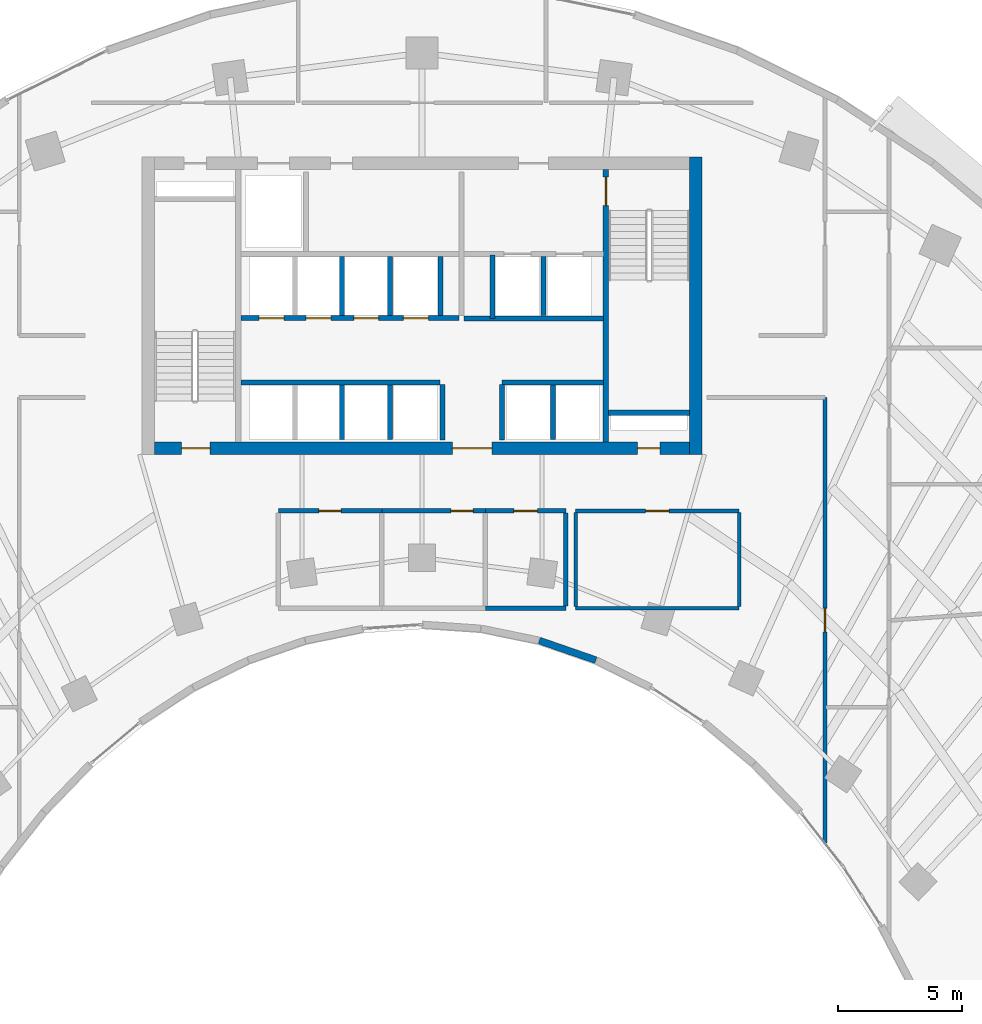
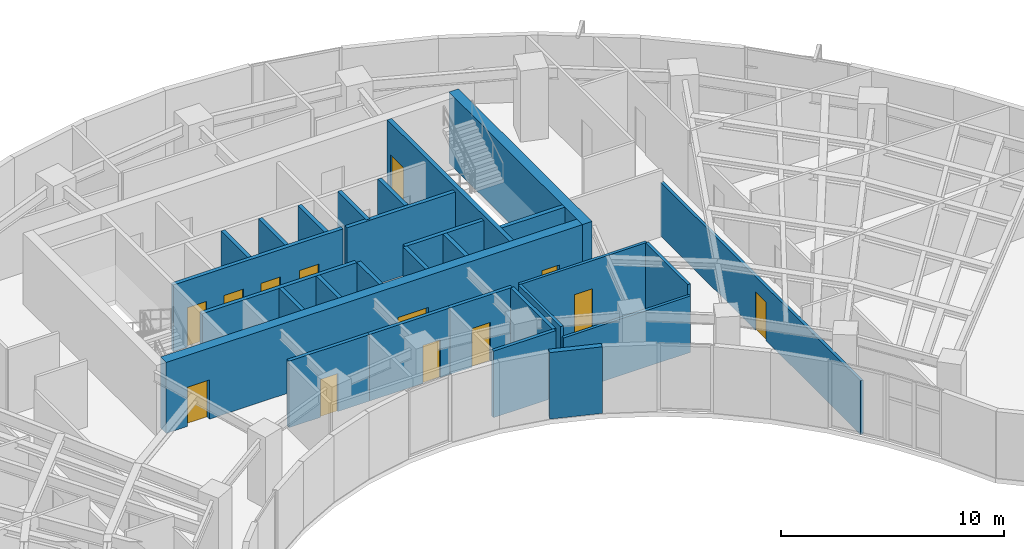
# One storey, part 9 of 13: 29 walls, 13 doors, 13 openings.
"""IFC4 building model written with IfcOpenShell, lengths in metres."""

from ifc_helpers import new_model, si_unit, direction, frame, frame_2d, origin, place, context, subcontext, project, spatial, rectangle, extrude, source, transform, mapped, material, layer, layer_set, type_object, type_shapes, element, fill, save


model = new_model("IFC4")

# Units and contexts
model_context = context("Model", 3, precision=1e-05, world=origin(), true_north=direction((0.0, 1.0)))
body_context = subcontext(model_context, "Body", "Model", "MODEL_VIEW")
ifc_project = project(units=[si_unit("LENGTHUNIT", "METRE"), si_unit("AREAUNIT", "SQUARE_METRE"), si_unit("VOLUMEUNIT", "CUBIC_METRE"), si_unit("PLANEANGLEUNIT", "RADIAN"), si_unit("MASSUNIT", "GRAM", prefix="KILO")], contexts=[model_context])

# Site, building, storey
site_placement = place(None, origin())
site = spatial("IfcSite", under=ifc_project, at=site_placement, CompositionType="ELEMENT")
building_placement = place(site_placement, origin())
building = spatial("IfcBuilding", under=site, at=building_placement, Name="Breltana Convention Tower", CompositionType="ELEMENT")
storey_placement = place(building_placement, frame((0.0, 0.0, 96.0)))
storey = spatial("IfcBuildingStorey", under=building, at=storey_placement, Name="L22", CompositionType="ELEMENT", Elevation=96.0)

# Wall
ifc_material_1 = material(Name="Concrete C60/75", Category="concrete")
ifc_layer_1 = layer(ifc_material_1, 0.5, Name="Concrete C60/75")
ifc_layer_set_1 = layer_set([ifc_layer_1], Name="Concrete C60/75")
wall_type_1 = type_object("IfcWallType", Name="SW-CORE-500", PredefinedType="SHEAR", material=ifc_layer_set_1)
shared_shape_1 = source(origin(), body_context, "Body", "SweptSolid", [
    extrude(rectangle(XDim=12.0, YDim=0.5, at=frame_2d((6.0, 0.0))), origin(), (0.0, 0.0, 1.0), 3.89990234375),
])
wall_1_placement = place(storey_placement, frame((59.050048828125, 60.199951171875, 0.0), z_axis=(0.0, 0.0, 1.0), x_axis=(0.0, 1.0, 0.0)))
element("IfcWall", 1, at=wall_1_placement, inside=storey, type_object=wall_type_1, Name="L22 East Core Shear Wall", PredefinedType="SHEAR", context=body_context, shape_type="MappedRepresentation", body=[
    mapped(shared_shape_1, transform((0.0, 0.0, 0.0), scale=1.0)),
])

# Wall, openings, doors
shared_shape_2 = source(origin(), body_context, "Body", "SweptSolid", [
    extrude(rectangle(XDim=21.60009765625, YDim=0.5, at=frame_2d((10.800048828125, 0.0))), origin(), (0.0, 0.0, 1.0), 3.89990234375),
])
wall_2_placement = place(storey_placement, frame((37.199951171875, 60.449951171875, 0.0), z_axis=(0.0, 0.0, 1.0), x_axis=(1.0, 0.0, 0.0)))
wall_2 = element("IfcWall", 2, at=wall_2_placement, inside=storey, type_object=wall_type_1, Name="L22 South Core Shear Wall", PredefinedType="SHEAR", context=body_context, shape_type="MappedRepresentation", body=[
    mapped(shared_shape_2, transform((0.0, 0.0, 0.0), scale=1.0)),
])
opening_1_placement = place(wall_2_placement, frame((1.10009765625, 0.0, 0.0)))
opening_1 = element("IfcOpeningElement", 3, at=opening_1_placement, cuts=wall_2, Name="Opening D-11", PredefinedType="OPENING", context=body_context, shape_type="SweptSolid", body=[
    extrude(rectangle(XDim=1.14990234375, YDim=2.14990234375, at=frame_2d((0.574951171875, 1.074951171875))), frame((0.0, 0.260009765625, 0.0), z_axis=(0.0, -1.0, 0.0), x_axis=(1.0, 0.0, 0.0)), (0.0, 0.0, 1.0), 0.52001953125),
])
opening_2_placement = place(wall_2_placement, frame((19.5, 0.0, 0.0)))
opening_2 = element("IfcOpeningElement", 4, at=opening_2_placement, cuts=wall_2, Name="Opening D-18", PredefinedType="OPENING", context=body_context, shape_type="SweptSolid", body=[
    extrude(rectangle(XDim=0.89990234375, YDim=2.10009765625, at=frame_2d((0.449951171875, 1.050048828125))), frame((0.0, 0.260009765625, 0.0), z_axis=(0.0, -1.0, 0.0), x_axis=(1.0, 0.0, 0.0)), (0.0, 0.0, 1.0), 0.52001953125),
])
opening_3_placement = place(wall_2_placement, frame((12.02001953125, 0.0, 0.0)))
opening_3 = element("IfcOpeningElement", 5, at=opening_3_placement, cuts=wall_2, Name="Opening D-02", PredefinedType="OPENING", context=body_context, shape_type="SweptSolid", body=[
    extrude(rectangle(XDim=1.60009765625, YDim=2.14990234375, at=frame_2d((0.800048828125, 1.074951171875))), frame((0.0, 0.260009765625, 0.0), z_axis=(0.0, -1.0, 0.0), x_axis=(1.0, 0.0, 0.0)), (0.0, 0.0, 1.0), 0.52001953125),
])
ifc_material_2 = material(Name="Steel Stair Exit Door", Category="steel")
door_type_1 = type_object("IfcDoorType", Name="DR-FD120-1150", OperationType="NOTDEFINED", PredefinedType="DOOR", material=ifc_material_2)
shared_shape_3 = source(origin(), body_context, "Body", "SweptSolid", [
    extrude(rectangle(XDim=1.14990234375, YDim=2.14990234375, at=frame_2d((0.574951171875, 1.074951171875))), frame((0.0, 0.02490234375, 0.0), z_axis=(0.0, -1.0, 0.0), x_axis=(1.0, 0.0, 0.0)), (0.0, 0.0, 1.0), 0.050048828125),
])
type_shapes(door_type_1, [shared_shape_3])
door_1_placement = place(opening_1_placement, origin())
door_1 = element("IfcDoor", 6, at=door_1_placement, inside=storey, type_object=door_type_1, Name="L22 interior door D-L22-ST1", OperationType="SINGLE_SWING_LEFT", OverallHeight=2.14990234375, OverallWidth=1.14990234375, PredefinedType="DOOR", context=body_context, shape_type="MappedRepresentation", body=[
    mapped(shared_shape_3, transform((0.0, 0.0, 0.0), scale=1.0)),
])
fill(opening_1, door_1)
ifc_material_3 = material(Name="Steel Riser Fire Door", Category="steel")
door_type_2 = type_object("IfcDoorType", Name="DR-FD60-900", OperationType="NOTDEFINED", PredefinedType="DOOR", material=ifc_material_3)
shared_shape_4 = source(origin(), body_context, "Body", "SweptSolid", [
    extrude(rectangle(XDim=0.89990234375, YDim=2.10009765625, at=frame_2d((0.449951171875, 1.050048828125))), frame((0.0, 0.02490234375, 0.0), z_axis=(0.0, -1.0, 0.0), x_axis=(1.0, 0.0, 0.0)), (0.0, 0.0, 1.0), 0.050048828125),
])
type_shapes(door_type_2, [shared_shape_4])
door_2_placement = place(opening_2_placement, origin())
door_2 = element("IfcDoor", 7, at=door_2_placement, inside=storey, type_object=door_type_2, Name="L22 Core Riser Access Door D-L22-RS2", OperationType="SINGLE_SWING_RIGHT", OverallHeight=2.10009765625, OverallWidth=0.89990234375, PredefinedType="DOOR", context=body_context, shape_type="MappedRepresentation", body=[
    mapped(shared_shape_4, transform((0.0, 0.0, 0.0), scale=1.0)),
])
fill(opening_2, door_2)
ifc_material_4 = material(Name="Steel Glazed Smoke-Control Door", Category="steel")
door_type_3 = type_object("IfcDoorType", Name="DR-DBL-FD90-1600", OperationType="DOUBLE_DOOR_SINGLE_SWING", PredefinedType="DOOR", material=ifc_material_4)
shared_shape_5 = source(origin(), body_context, "Body", "SweptSolid", [
    extrude(rectangle(XDim=1.60009765625, YDim=2.14990234375, at=frame_2d((0.800048828125, 1.074951171875))), frame((0.0, 0.02490234375, 0.0), z_axis=(0.0, -1.0, 0.0), x_axis=(1.0, 0.0, 0.0)), (0.0, 0.0, 1.0), 0.050048828125),
])
type_shapes(door_type_3, [shared_shape_5])
door_3_placement = place(opening_3_placement, origin())
door_3 = element("IfcDoor", 8, at=door_3_placement, inside=storey, type_object=door_type_3, Name="L22 interior door D-L22-LLB-S", OperationType="DOUBLE_DOOR_SINGLE_SWING", OverallHeight=2.14990234375, OverallWidth=1.60009765625, PredefinedType="DOOR", context=body_context, shape_type="MappedRepresentation", body=[
    mapped(shared_shape_5, transform((0.0, 0.0, 0.0), scale=1.0)),
])
fill(opening_3, door_3)

# Wall
ifc_material_5 = material(Name="Concrete C50/60", Category="concrete")
ifc_layer_2 = layer(ifc_material_5, 0.39990234375, Name="Concrete C50/60")
ifc_layer_set_2 = layer_set([ifc_layer_2], Name="Concrete C50/60")
wall_type_2 = type_object("IfcWallType", Name="SW-CORE-400", PredefinedType="SHEAR", material=ifc_layer_set_2)
shared_shape_6 = source(origin(), body_context, "Body", "SweptSolid", [
    extrude(rectangle(XDim=3.27001953125, YDim=0.219970703125, at=frame_2d((1.635009765625, 0.0))), origin(), (0.0, 0.0, 1.0), 3.89990234375),
])
wall_3_placement = place(storey_placement, frame((55.530029296875, 61.889892578125, 0.0), z_axis=(0.0, 0.0, 1.0), x_axis=(1.0, 0.0, 0.0)))
element("IfcWall", 9, at=wall_3_placement, inside=storey, type_object=wall_type_2, Name="L22 ST-2 Stairwell South Bearing Wall", PredefinedType="SHEAR", context=body_context, shape_type="MappedRepresentation", body=[
    mapped(shared_shape_6, transform((0.0, 0.0, 0.0), scale=1.0)),
])

# Wall, opening, door
shared_shape_7 = source(origin(), body_context, "Body", "SweptSolid", [
    extrude(rectangle(XDim=11.0, YDim=0.219970703125, at=frame_2d((5.5, 0.0))), origin(), (0.0, 0.0, 1.0), 3.89990234375),
])
wall_4_placement = place(storey_placement, frame((55.419921875, 60.699951171875, 0.0), z_axis=(0.0, 0.0, 1.0), x_axis=(0.0, 1.0, 0.0)))
wall_4 = element("IfcWall", 10, at=wall_4_placement, inside=storey, type_object=wall_type_2, Name="L22 Core East Stair Spine Wall", PredefinedType="SHEAR", context=body_context, shape_type="MappedRepresentation", body=[
    mapped(shared_shape_7, transform((0.0, 0.0, 0.0), scale=1.0)),
])
opening_4_placement = place(wall_4_placement, frame((9.544921875, 0.0, 0.0)))
opening_4 = element("IfcOpeningElement", 11, at=opening_4_placement, cuts=wall_4, Name="Opening D-11", PredefinedType="OPENING", context=body_context, shape_type="SweptSolid", body=[
    extrude(rectangle(XDim=1.14990234375, YDim=2.14990234375, at=frame_2d((0.574951171875, 1.074951171875))), frame((0.0, 0.1201171875, 0.0), z_axis=(0.0, -1.0, 0.0), x_axis=(1.0, 0.0, 0.0)), (0.0, 0.0, 1.0), 0.239990234375),
])
door_4_placement = place(opening_4_placement, origin())
door_4 = element("IfcDoor", 12, at=door_4_placement, inside=storey, type_object=door_type_1, Name="L22 interior door D-L22-ST2", OperationType="SINGLE_SWING_LEFT", OverallHeight=2.14990234375, OverallWidth=1.14990234375, PredefinedType="DOOR", context=body_context, shape_type="MappedRepresentation", body=[
    mapped(shared_shape_3, transform((0.0, 0.0, 0.0), scale=1.0)),
])
fill(opening_4, door_4)

# Walls
ifc_material_6 = material(Name="Limestone Buff Insulated Wall", Category="masonry")
ifc_layer_3 = layer(ifc_material_6, 0.280029296875, Name="Limestone Buff Insulated Wall")
ifc_layer_set_3 = layer_set([ifc_layer_3], Name="Limestone Buff Insulated Wall")
wall_type_3 = type_object("IfcWallType", Name="WL-EXT-NOSE-280", PredefinedType="SOLIDWALL", material=ifc_layer_set_3)
shared_shape_8 = source(origin(), body_context, "Body", "SweptSolid", [
    extrude(rectangle(XDim=2.41064453125, YDim=0.280029296875, at=frame_2d((1.205322265625, 0.0))), origin(), (0.0, 0.0, 1.0), 3.64990234375),
])
wall_5_placement = place(storey_placement, frame((55.01171875, 51.8994140625, 0.0), z_axis=(0.0, 0.0, 1.0), x_axis=(-0.944880068161, 0.327416640982, 0.0)))
element("IfcWall", 13, at=wall_5_placement, inside=storey, type_object=wall_type_3, Name="L22 curved limestone nose wall E10", PredefinedType="SOLIDWALL", context=body_context, shape_type="MappedRepresentation", body=[
    mapped(shared_shape_8, transform((0.0, 0.0, 0.0), scale=1.0)),
])
ifc_material_7 = material(Name="Autoclaved Aerated Concrete Block", Category="concrete")
ifc_layer_4 = layer(ifc_material_7, 0.199951171875, Name="Autoclaved Aerated Concrete Block")
ifc_layer_set_4 = layer_set([ifc_layer_4], Name="Autoclaved Aerated Concrete Block")
wall_type_4 = type_object("IfcWallType", Name="WL-SHAFT-200", PredefinedType="SOLIDWALL", material=ifc_layer_set_4)
shared_shape_9 = source(origin(), body_context, "Body", "SweptSolid", [
    extrude(rectangle(XDim=2.239990234375, YDim=0.199951171875, at=frame_2d((1.1201171875, 0.0))), origin(), (0.0, 0.0, 1.0), 3.64990234375),
])
for number, where, z_axis, x_axis, name in (
    (14, (48.820068359375, 60.780029296875, 0.0), (0.0, 0.0, 1.0), (0.0, 1.0, 0.0), "L22 interior partition W-L22-PORT-W"),
    (15, (51.219970703125, 60.780029296875, 0.0), (0.0, 0.0, 1.0), (0.0, 1.0, 0.0), "L22 interior partition W-L22-PORT-E"),
):
    element("IfcWall", number, at=place(storey_placement, frame(where, z_axis=z_axis, x_axis=x_axis)), inside=storey, type_object=wall_type_4, Name=name, PredefinedType="SOLIDWALL", context=body_context, shape_type="MappedRepresentation", body=[
        mapped(shared_shape_9, transform((0.0, 0.0, 0.0), scale=1.0)),
    ])
shared_shape_10 = source(origin(), body_context, "Body", "SweptSolid", [
    extrude(rectangle(XDim=5.6201171875, YDim=0.199951171875, at=frame_2d((2.81005859375, 0.0))), origin(), (0.0, 0.0, 1.0), 3.64990234375),
])
wall_6_placement = place(storey_placement, frame((49.699951171875, 65.679931640625, 0.0), z_axis=(0.0, 0.0, 1.0), x_axis=(1.0, 0.0, 0.0)))
element("IfcWall", 16, at=wall_6_placement, inside=storey, type_object=wall_type_4, Name="L22 interior partition W-L22-FL-S", PredefinedType="SOLIDWALL", context=body_context, shape_type="MappedRepresentation", body=[
    mapped(shared_shape_10, transform((0.0, 0.0, 0.0), scale=1.0)),
])
shared_shape_11 = source(origin(), body_context, "Body", "SweptSolid", [
    extrude(rectangle(XDim=2.580078125, YDim=0.199951171875, at=frame_2d((1.2900390625, 0.0))), origin(), (0.0, 0.0, 1.0), 3.64990234375),
])
wall_7_placement = place(storey_placement, frame((50.85009765625, 65.679931640625, 0.0), z_axis=(0.0, 0.0, 1.0), x_axis=(0.0, 1.0, 0.0)))
element("IfcWall", 17, at=wall_7_placement, inside=storey, type_object=wall_type_4, Name="L22 interior partition W-L22-FL-W", PredefinedType="SOLIDWALL", context=body_context, shape_type="MappedRepresentation", body=[
    mapped(shared_shape_11, transform((0.0, 0.0, 0.0), scale=1.0)),
])
shared_shape_12 = source(origin(), body_context, "Body", "SweptSolid", [
    extrude(rectangle(XDim=2.39990234375, YDim=0.199951171875, at=frame_2d((1.199951171875, 0.0))), origin(), (0.0, 0.0, 1.0), 3.64990234375),
])
for number, where, z_axis, x_axis, name in (
    (18, (52.89990234375, 65.800048828125, 0.0), (0.0, 0.0, 1.0), (0.0, 1.0, 0.0), "L22 interior partition W-L22-FL-DIV"),
    (19, (48.75, 65.800048828125, 0.0), (0.0, 0.0, 1.0), (0.0, 1.0, 0.0), "L22 interior partition W-L22-SH-M-END"),
    (20, (44.77001953125, 65.800048828125, 0.0), (0.0, 0.0, 1.0), (0.0, 1.0, 0.0), "L22 interior partition W-L22-SH-M-DIV2"),
    (21, (46.699951171875, 65.800048828125, 0.0), (0.0, 0.0, 1.0), (0.0, 1.0, 0.0), "L22 interior partition W-L22-SH-M-DIV3"),
):
    element("IfcWall", number, at=place(storey_placement, frame(where, z_axis=z_axis, x_axis=x_axis)), inside=storey, type_object=wall_type_4, Name=name, PredefinedType="SOLIDWALL", context=body_context, shape_type="MappedRepresentation", body=[
        mapped(shared_shape_12, transform((0.0, 0.0, 0.0), scale=1.0)),
    ])

# Wall, openings, doors
shared_shape_13 = source(origin(), body_context, "Body", "SweptSolid", [
    extrude(rectangle(XDim=8.800048828125, YDim=0.199951171875, at=frame_2d((4.39990234375, 0.0))), origin(), (0.0, 0.0, 1.0), 3.64990234375),
])
wall_8_placement = place(storey_placement, frame((40.699951171875, 65.699951171875, 0.0), z_axis=(0.0, 0.0, 1.0), x_axis=(1.0, 0.0, 0.0)))
wall_8 = element("IfcWall", 22, at=wall_8_placement, inside=storey, type_object=wall_type_4, Name="L22 interior partition W-L22-SH-M-FRONT", PredefinedType="SOLIDWALL", context=body_context, shape_type="MappedRepresentation", body=[
    mapped(shared_shape_13, transform((0.0, 0.0, 0.0), scale=1.0)),
])
opening_5_placement = place(wall_8_placement, frame((0.719970703125, 0.0, 0.0)))
opening_5 = element("IfcOpeningElement", 23, at=opening_5_placement, cuts=wall_8, Name="Opening LD-04", PredefinedType="OPENING", context=body_context, shape_type="SweptSolid", body=[
    extrude(rectangle(XDim=1.0, YDim=2.14990234375, at=frame_2d((0.5, 1.074951171875))), frame((0.0, 0.10986328125, 0.0), z_axis=(0.0, -1.0, 0.0), x_axis=(1.0, 0.0, 0.0)), (0.0, 0.0, 1.0), 0.219970703125),
])
opening_6_placement = place(wall_8_placement, frame((2.6201171875, 0.0, 0.0)))
opening_6 = element("IfcOpeningElement", 24, at=opening_6_placement, cuts=wall_8, Name="Opening LD-04", PredefinedType="OPENING", context=body_context, shape_type="SweptSolid", body=[
    extrude(rectangle(XDim=1.0, YDim=2.14990234375, at=frame_2d((0.5, 1.074951171875))), frame((0.0, 0.10986328125, 0.0), z_axis=(0.0, -1.0, 0.0), x_axis=(1.0, 0.0, 0.0)), (0.0, 0.0, 1.0), 0.219970703125),
])
opening_7_placement = place(wall_8_placement, frame((4.550048828125, 0.0, 0.0)))
opening_7 = element("IfcOpeningElement", 25, at=opening_7_placement, cuts=wall_8, Name="Opening LD-04", PredefinedType="OPENING", context=body_context, shape_type="SweptSolid", body=[
    extrude(rectangle(XDim=1.0, YDim=2.14990234375, at=frame_2d((0.5, 1.074951171875))), frame((0.0, 0.10986328125, 0.0), z_axis=(0.0, -1.0, 0.0), x_axis=(1.0, 0.0, 0.0)), (0.0, 0.0, 1.0), 0.219970703125),
])
opening_8_placement = place(wall_8_placement, frame((6.550048828125, 0.0, 0.0)))
opening_8 = element("IfcOpeningElement", 26, at=opening_8_placement, cuts=wall_8, Name="Opening LD-04", PredefinedType="OPENING", context=body_context, shape_type="SweptSolid", body=[
    extrude(rectangle(XDim=1.0, YDim=2.14990234375, at=frame_2d((0.5, 1.074951171875))), frame((0.0, 0.10986328125, 0.0), z_axis=(0.0, -1.0, 0.0), x_axis=(1.0, 0.0, 0.0)), (0.0, 0.0, 1.0), 0.219970703125),
])
ifc_material_8 = material(Name="Stainless Steel Brushed", Category="steel")
door_type_4 = type_object("IfcDoorType", Name="DR-LD-PAX-1000", OperationType="DOUBLE_DOOR_SLIDING", PredefinedType="DOOR", material=ifc_material_8)
shared_shape_14 = source(origin(), body_context, "Body", "SweptSolid", [
    extrude(rectangle(XDim=1.0, YDim=2.14990234375, at=frame_2d((0.5, 1.074951171875))), frame((0.0, 0.02490234375, 0.0), z_axis=(0.0, -1.0, 0.0), x_axis=(1.0, 0.0, 0.0)), (0.0, 0.0, 1.0), 0.050048828125),
])
type_shapes(door_type_4, [shared_shape_14])
door_5_placement = place(opening_5_placement, origin())
door_5 = element("IfcDoor", 27, at=door_5_placement, inside=storey, type_object=door_type_4, Name="L22 Lift Landing Door D-L22-LD-M1", OperationType="DOUBLE_DOOR_SLIDING", OverallHeight=2.14990234375, OverallWidth=1.0, PredefinedType="DOOR", context=body_context, shape_type="MappedRepresentation", body=[
    mapped(shared_shape_14, transform((0.0, 0.0, 0.0), scale=1.0)),
])
fill(opening_5, door_5)
door_6_placement = place(opening_6_placement, origin())
door_6 = element("IfcDoor", 28, at=door_6_placement, inside=storey, type_object=door_type_4, Name="L22 Lift Landing Door D-L22-LD-M2", OperationType="DOUBLE_DOOR_SLIDING", OverallHeight=2.14990234375, OverallWidth=1.0, PredefinedType="DOOR", context=body_context, shape_type="MappedRepresentation", body=[
    mapped(shared_shape_14, transform((0.0, 0.0, 0.0), scale=1.0)),
])
fill(opening_6, door_6)
door_7_placement = place(opening_7_placement, origin())
door_7 = element("IfcDoor", 29, at=door_7_placement, inside=storey, type_object=door_type_4, Name="L22 Lift Landing Door D-L22-LD-M3", OperationType="DOUBLE_DOOR_SLIDING", OverallHeight=2.14990234375, OverallWidth=1.0, PredefinedType="DOOR", context=body_context, shape_type="MappedRepresentation", body=[
    mapped(shared_shape_14, transform((0.0, 0.0, 0.0), scale=1.0)),
])
fill(opening_7, door_7)
door_8_placement = place(opening_8_placement, origin())
door_8 = element("IfcDoor", 30, at=door_8_placement, inside=storey, type_object=door_type_4, Name="L22 Lift Landing Door D-L22-LD-M4", OperationType="DOUBLE_DOOR_SLIDING", OverallHeight=2.14990234375, OverallWidth=1.0, PredefinedType="DOOR", context=body_context, shape_type="MappedRepresentation", body=[
    mapped(shared_shape_14, transform((0.0, 0.0, 0.0), scale=1.0)),
])
fill(opening_8, door_8)

# Walls
shared_shape_15 = source(origin(), body_context, "Body", "SweptSolid", [
    extrude(rectangle(XDim=8.02001953125, YDim=0.199951171875, at=frame_2d((4.010009765625, 0.0))), origin(), (0.0, 0.0, 1.0), 3.64990234375),
])
wall_9_placement = place(storey_placement, frame((40.699951171875, 63.10009765625, 0.0), z_axis=(0.0, 0.0, 1.0), x_axis=(1.0, 0.0, 0.0)))
element("IfcWall", 31, at=wall_9_placement, inside=storey, type_object=wall_type_4, Name="L22 interior partition W-L22-SH-S-FRONT", PredefinedType="SOLIDWALL", context=body_context, shape_type="MappedRepresentation", body=[
    mapped(shared_shape_15, transform((0.0, 0.0, 0.0), scale=1.0)),
])
shared_shape_16 = source(origin(), body_context, "Body", "SweptSolid", [
    extrude(rectangle(XDim=4.10009765625, YDim=0.199951171875, at=frame_2d((2.050048828125, 0.0))), origin(), (0.0, 0.0, 1.0), 3.64990234375),
])
wall_10_placement = place(storey_placement, frame((51.219970703125, 63.10009765625, 0.0), z_axis=(0.0, 0.0, 1.0), x_axis=(1.0, 0.0, 0.0)))
element("IfcWall", 32, at=wall_10_placement, inside=storey, type_object=wall_type_4, Name="L22 interior partition W-L22-SH-X-FRONT", PredefinedType="SOLIDWALL", context=body_context, shape_type="MappedRepresentation", body=[
    mapped(shared_shape_16, transform((0.0, 0.0, 0.0), scale=1.0)),
])
shared_shape_17 = source(origin(), body_context, "Body", "SweptSolid", [
    extrude(rectangle(XDim=2.199951171875, YDim=0.199951171875, at=frame_2d((1.10009765625, 0.0))), origin(), (0.0, 0.0, 1.0), 3.64990234375),
])
for number, where, z_axis, x_axis, name in (
    (33, (44.77001953125, 60.800048828125, 0.0), (0.0, 0.0, 1.0), (0.0, 1.0, 0.0), "L22 interior partition W-L22-SH-S-DIV2"),
    (34, (46.699951171875, 60.800048828125, 0.0), (0.0, 0.0, 1.0), (0.0, 1.0, 0.0), "L22 interior partition W-L22-SH-S-DIV3"),
    (35, (53.280029296875, 60.800048828125, 0.0), (0.0, 0.0, 1.0), (0.0, 1.0, 0.0), "L22 interior partition W-L22-SH-X-DIV"),
):
    element("IfcWall", number, at=place(storey_placement, frame(where, z_axis=z_axis, x_axis=x_axis)), inside=storey, type_object=wall_type_4, Name=name, PredefinedType="SOLIDWALL", context=body_context, shape_type="MappedRepresentation", body=[
        mapped(shared_shape_17, transform((0.0, 0.0, 0.0), scale=1.0)),
    ])

# Wall, opening, door
ifc_material_9 = material(Name="Moisture-Resistant Gypsum Chase Wall")
ifc_layer_5 = layer(ifc_material_9, 0.179931640625, Name="Moisture-Resistant Gypsum Chase Wall")
ifc_layer_set_5 = layer_set([ifc_layer_5], Name="Moisture-Resistant Gypsum Chase Wall")
wall_type_5 = type_object("IfcWallType", Name="WL-PLUMB-180", PredefinedType="PLUMBINGWALL", material=ifc_layer_set_5)
shared_shape_18 = source(origin(), body_context, "Body", "SweptSolid", [
    extrude(rectangle(XDim=4.176025390625, YDim=0.179931640625, at=frame_2d((2.087890625, 0.0))), origin(), (0.0, 0.0, 1.0), 3.64990234375),
])
wall_11_placement = place(storey_placement, frame((42.199951171875, 57.919921875, 0.0), z_axis=(0.0, 0.0, 1.0), x_axis=(1.0, 0.0, 0.0)))
wall_11 = element("IfcWall", 36, at=wall_11_placement, inside=storey, type_object=wall_type_5, Name="L22 interior partition W-L22-WCM-N", PredefinedType="PLUMBINGWALL", context=body_context, shape_type="MappedRepresentation", body=[
    mapped(shared_shape_18, transform((0.0, 0.0, 0.0), scale=1.0)),
])
opening_9_placement = place(wall_11_placement, frame((1.637939453125, 0.0, 0.0)))
opening_9 = element("IfcOpeningElement", 37, at=opening_9_placement, cuts=wall_11, Name="Opening D-19", PredefinedType="OPENING", context=body_context, shape_type="SweptSolid", body=[
    extrude(rectangle(XDim=0.89990234375, YDim=2.080078125, at=frame_2d((0.449951171875, 1.0400390625))), frame((0.0, 0.10009765625, 0.0), z_axis=(0.0, -1.0, 0.0), x_axis=(1.0, 0.0, 0.0)), (0.0, 0.0, 1.0), 0.199951171875),
])
ifc_material_10 = material(Name="Timber Moisture-Resistant Door", Category="wood")
door_type_5 = type_object("IfcDoorType", Name="DR-WC-900", OperationType="NOTDEFINED", PredefinedType="DOOR", material=ifc_material_10)
shared_shape_19 = source(origin(), body_context, "Body", "SweptSolid", [
    extrude(rectangle(XDim=0.89990234375, YDim=2.080078125, at=frame_2d((0.449951171875, 1.0400390625))), frame((0.0, 0.02490234375, 0.0), z_axis=(0.0, -1.0, 0.0), x_axis=(1.0, 0.0, 0.0)), (0.0, 0.0, 1.0), 0.050048828125),
])
type_shapes(door_type_5, [shared_shape_19])
door_9_placement = place(opening_9_placement, origin())
door_9 = element("IfcDoor", 38, at=door_9_placement, inside=storey, type_object=door_type_5, Name="L22 interior door D-L22-WCM", OperationType="SINGLE_SWING_LEFT", OverallHeight=2.080078125, OverallWidth=0.89990234375, PredefinedType="DOOR", context=body_context, shape_type="MappedRepresentation", body=[
    mapped(shared_shape_19, transform((0.0, 0.0, 0.0), scale=1.0)),
])
fill(opening_9, door_9)

wall_12_placement = place(storey_placement, frame((46.3759765625, 57.919921875, 0.0), z_axis=(0.0, 0.0, 1.0), x_axis=(1.0, 0.0, 0.0)))
wall_12 = element("IfcWall", 39, at=wall_12_placement, inside=storey, type_object=wall_type_5, Name="L22 interior partition W-L22-WCF-N", PredefinedType="PLUMBINGWALL", context=body_context, shape_type="MappedRepresentation", body=[
    mapped(shared_shape_18, transform((0.0, 0.0, 0.0), scale=1.0)),
])
opening_10_placement = place(wall_12_placement, frame((2.7880859375, 0.0, 0.0)))
opening_10 = element("IfcOpeningElement", 40, at=opening_10_placement, cuts=wall_12, Name="Opening D-19", PredefinedType="OPENING", context=body_context, shape_type="SweptSolid", body=[
    extrude(rectangle(XDim=0.89990234375, YDim=2.080078125, at=frame_2d((0.449951171875, 1.0400390625))), frame((0.0, 0.10009765625, 0.0), z_axis=(0.0, -1.0, 0.0), x_axis=(1.0, 0.0, 0.0)), (0.0, 0.0, 1.0), 0.199951171875),
])
door_10_placement = place(opening_10_placement, origin())
door_10 = element("IfcDoor", 41, at=door_10_placement, inside=storey, type_object=door_type_5, Name="L22 interior door D-L22-WCF", OperationType="SINGLE_SWING_RIGHT", OverallHeight=2.080078125, OverallWidth=0.89990234375, PredefinedType="DOOR", context=body_context, shape_type="MappedRepresentation", body=[
    mapped(shared_shape_19, transform((0.0, 0.0, 0.0), scale=1.0)),
])
fill(opening_10, door_10)

# Walls
ifc_material_11 = material(Name="Cement Board Wet-Area Partition")
ifc_layer_6 = layer(ifc_material_11, 0.175048828125, Name="Cement Board Wet-Area Partition")
ifc_layer_set_6 = layer_set([ifc_layer_6], Name="Cement Board Wet-Area Partition")
wall_type_6 = type_object("IfcWallType", Name="WL-WET-175", PredefinedType="PARTITIONING", material=ifc_layer_set_6)
shared_shape_20 = source(origin(), body_context, "Body", "SweptSolid", [
    extrude(rectangle(XDim=3.7626953125, YDim=0.175048828125, at=frame_2d((1.88134765625, 0.0))), origin(), (0.0, 0.0, 1.0), 3.64990234375),
])
wall_13_placement = place(storey_placement, frame((53.800048828125, 54.07861328125, 0.0), z_axis=(0.0, 0.0, 1.0), x_axis=(0.0, 1.0, 0.0)))
element("IfcWall", 42, at=wall_13_placement, inside=storey, type_object=wall_type_6, Name="L22 interior partition W-L22-WCA-E", PredefinedType="PARTITIONING", context=body_context, shape_type="MappedRepresentation", body=[
    mapped(shared_shape_20, transform((0.0, 0.0, 0.0), scale=1.0)),
])
shared_shape_21 = source(origin(), body_context, "Body", "SweptSolid", [
    extrude(rectangle(XDim=3.248046875, YDim=0.175048828125, at=frame_2d((1.6240234375, 0.0))), origin(), (0.0, 0.0, 1.0), 3.64990234375),
])
wall_14_placement = place(storey_placement, frame((50.552001953125, 54.0, 0.0), z_axis=(0.0, 0.0, 1.0), x_axis=(1.0, 0.0, 0.0)))
element("IfcWall", 43, at=wall_14_placement, inside=storey, type_object=wall_type_6, Name="L22 interior partition W-L22-WCA-S", PredefinedType="PARTITIONING", context=body_context, shape_type="MappedRepresentation", body=[
    mapped(shared_shape_21, transform((0.0, 0.0, 0.0), scale=1.0)),
])

# Wall, opening, door
shared_shape_22 = source(origin(), body_context, "Body", "SweptSolid", [
    extrude(rectangle(XDim=3.248046875, YDim=0.179931640625, at=frame_2d((1.6240234375, 0.0))), origin(), (0.0, 0.0, 1.0), 3.64990234375),
])
wall_15_placement = place(storey_placement, frame((50.552001953125, 57.919921875, 0.0), z_axis=(0.0, 0.0, 1.0), x_axis=(1.0, 0.0, 0.0)))
wall_15 = element("IfcWall", 44, at=wall_15_placement, inside=storey, type_object=wall_type_5, Name="L22 interior partition W-L22-WCA-N", PredefinedType="PLUMBINGWALL", context=body_context, shape_type="MappedRepresentation", body=[
    mapped(shared_shape_22, transform((0.0, 0.0, 0.0), scale=1.0)),
])
opening_11_placement = place(wall_15_placement, frame((1.14892578125, 0.0, 0.0)))
opening_11 = element("IfcOpeningElement", 45, at=opening_11_placement, cuts=wall_15, Name="Opening D-16", PredefinedType="OPENING", context=body_context, shape_type="SweptSolid", body=[
    extrude(rectangle(XDim=0.949951171875, YDim=2.1201171875, at=frame_2d((0.47509765625, 1.06005859375))), frame((0.0, 0.10009765625, 0.0), z_axis=(0.0, -1.0, 0.0), x_axis=(1.0, 0.0, 0.0)), (0.0, 0.0, 1.0), 0.199951171875),
])
ifc_material_12 = material(Name="Timber Laminate Accessible Door", Category="wood")
door_type_6 = type_object("IfcDoorType", Name="DR-ACC-950", OperationType="NOTDEFINED", PredefinedType="DOOR", material=ifc_material_12)
shared_shape_23 = source(origin(), body_context, "Body", "SweptSolid", [
    extrude(rectangle(XDim=0.949951171875, YDim=2.1201171875, at=frame_2d((0.47509765625, 1.06005859375))), frame((0.0, 0.02490234375, 0.0), z_axis=(0.0, -1.0, 0.0), x_axis=(1.0, 0.0, 0.0)), (0.0, 0.0, 1.0), 0.050048828125),
])
type_shapes(door_type_6, [shared_shape_23])
door_11_placement = place(opening_11_placement, origin())
door_11 = element("IfcDoor", 46, at=door_11_placement, inside=storey, type_object=door_type_6, Name="L22 interior door D-L22-WCA", OperationType="SINGLE_SWING_LEFT", OverallHeight=2.1201171875, OverallWidth=0.949951171875, PredefinedType="DOOR", context=body_context, shape_type="MappedRepresentation", body=[
    mapped(shared_shape_23, transform((0.0, 0.0, 0.0), scale=1.0)),
])
fill(opening_11, door_11)

# Wall
ifc_material_13 = material(Name="Gypsum Acoustic Drywall Partition")
ifc_layer_7 = layer(ifc_material_13, 0.14990234375, Name="Gypsum Acoustic Drywall Partition")
ifc_layer_set_7 = layer_set([ifc_layer_7], Name="Gypsum Acoustic Drywall Partition")
wall_type_7 = type_object("IfcWallType", Name="WL-PART-150", PredefinedType="PARTITIONING", material=ifc_layer_set_7)
shared_shape_24 = source(origin(), body_context, "Body", "SweptSolid", [
    extrude(rectangle(XDim=6.60009765625, YDim=0.14990234375, at=frame_2d((3.300048828125, 0.0))), origin(), (0.0, 0.0, 1.0), 3.094970703125),
])
wall_16_placement = place(storey_placement, frame((54.199951171875, 54.0, 0.0), z_axis=(0.0, 0.0, 1.0), x_axis=(1.0, 0.0, 0.0)))
element("IfcWall", 47, at=wall_16_placement, inside=storey, type_object=wall_type_7, Name="L22 interior partition W-L22-PNT-S", PredefinedType="PARTITIONING", context=body_context, shape_type="MappedRepresentation", body=[
    mapped(shared_shape_24, transform((0.0, 0.0, 0.0), scale=1.0)),
])

# Wall, opening, door
shared_shape_25 = source(origin(), body_context, "Body", "SweptSolid", [
    extrude(rectangle(XDim=6.60009765625, YDim=0.14990234375, at=frame_2d((3.300048828125, 0.0))), origin(), (0.0, 0.0, 1.0), 3.64990234375),
])
wall_17_placement = place(storey_placement, frame((54.199951171875, 57.919921875, 0.0), z_axis=(0.0, 0.0, 1.0), x_axis=(1.0, 0.0, 0.0)))
wall_17 = element("IfcWall", 48, at=wall_17_placement, inside=storey, type_object=wall_type_7, Name="L22 interior partition W-L22-PNT-N", PredefinedType="PARTITIONING", context=body_context, shape_type="MappedRepresentation", body=[
    mapped(shared_shape_25, transform((0.0, 0.0, 0.0), scale=1.0)),
])
opening_12_placement = place(wall_17_placement, frame((2.824951171875, 0.0, 0.0)))
opening_12 = element("IfcOpeningElement", 49, at=opening_12_placement, cuts=wall_17, Name="Opening D-17", PredefinedType="OPENING", context=body_context, shape_type="SweptSolid", body=[
    extrude(rectangle(XDim=0.949951171875, YDim=2.10009765625, at=frame_2d((0.47509765625, 1.050048828125))), frame((0.0, 0.0849609375, 0.0), z_axis=(0.0, -1.0, 0.0), x_axis=(1.0, 0.0, 0.0)), (0.0, 0.0, 1.0), 0.169921875),
])
ifc_material_14 = material(Name="Timber Oak Veneer Door", Category="wood")
door_type_7 = type_object("IfcDoorType", Name="DR-INT-950", OperationType="NOTDEFINED", PredefinedType="DOOR", material=ifc_material_14)
shared_shape_26 = source(origin(), body_context, "Body", "SweptSolid", [
    extrude(rectangle(XDim=0.949951171875, YDim=2.10009765625, at=frame_2d((0.47509765625, 1.050048828125))), frame((0.0, 0.02490234375, 0.0), z_axis=(0.0, -1.0, 0.0), x_axis=(1.0, 0.0, 0.0)), (0.0, 0.0, 1.0), 0.050048828125),
])
type_shapes(door_type_7, [shared_shape_26])
door_12_placement = place(opening_12_placement, origin())
door_12 = element("IfcDoor", 50, at=door_12_placement, inside=storey, type_object=door_type_7, Name="L22 interior door D-L22-PNT", OperationType="SINGLE_SWING_RIGHT", OverallHeight=2.10009765625, OverallWidth=0.949951171875, PredefinedType="DOOR", context=body_context, shape_type="MappedRepresentation", body=[
    mapped(shared_shape_26, transform((0.0, 0.0, 0.0), scale=1.0)),
])
fill(opening_12, door_12)

# Walls
shared_shape_27 = source(origin(), body_context, "Body", "SweptSolid", [
    extrude(rectangle(XDim=3.78515625, YDim=0.14990234375, at=frame_2d((1.892578125, 0.0))), origin(), (0.0, 0.0, 1.0), 3.64990234375),
])
for number, where, z_axis, x_axis, name in (
    (51, (54.199951171875, 54.0673828125, 0.0), (0.0, 0.0, 1.0), (0.0, 1.0, 0.0), "L22 interior partition W-L22-PNT-W"),
    (52, (60.800048828125, 54.0673828125, 0.0), (0.0, 0.0, 1.0), (0.0, 1.0, 0.0), "L22 interior partition W-L22-PNT-E"),
):
    element("IfcWall", number, at=place(storey_placement, frame(where, z_axis=z_axis, x_axis=x_axis)), inside=storey, type_object=wall_type_7, Name=name, PredefinedType="PARTITIONING", context=body_context, shape_type="MappedRepresentation", body=[
        mapped(shared_shape_27, transform((0.0, 0.0, 0.0), scale=1.0)),
    ])

# Wall, opening, door
shared_shape_28 = source(origin(), body_context, "Body", "SweptSolid", [
    extrude(rectangle(XDim=17.973876953125, YDim=0.14990234375, at=frame_2d((8.98681640625, 0.0))), origin(), (0.0, 0.0, 1.0), 2.94189453125),
])
wall_18_placement = place(storey_placement, frame((64.260009765625, 44.526123046875, 0.0), z_axis=(0.0, 0.0, 1.0), x_axis=(0.0, 1.0, 0.0)))
wall_18 = element("IfcWall", 53, at=wall_18_placement, inside=storey, type_object=wall_type_7, Name="L22 interior partition W-L22-ZME1-D", PredefinedType="PARTITIONING", context=body_context, shape_type="MappedRepresentation", body=[
    mapped(shared_shape_28, transform((0.0, 0.0, 0.0), scale=1.0)),
])
opening_13_placement = place(wall_18_placement, frame((8.511962890625, 0.0, 0.0)))
opening_13 = element("IfcOpeningElement", 54, at=opening_13_placement, cuts=wall_18, Name="Opening D-17", PredefinedType="OPENING", context=body_context, shape_type="SweptSolid", body=[
    extrude(rectangle(XDim=0.949951171875, YDim=2.10009765625, at=frame_2d((0.47509765625, 1.050048828125))), frame((0.0, 0.0849609375, 0.0), z_axis=(0.0, -1.0, 0.0), x_axis=(1.0, 0.0, 0.0)), (0.0, 0.0, 1.0), 0.169921875),
])
door_13_placement = place(opening_13_placement, origin())
door_13 = element("IfcDoor", 55, at=door_13_placement, inside=storey, type_object=door_type_7, Name="L22 interior door D-L22-ZME1", OperationType="SINGLE_SWING_RIGHT", OverallHeight=2.10009765625, OverallWidth=0.949951171875, PredefinedType="DOOR", context=body_context, shape_type="MappedRepresentation", body=[
    mapped(shared_shape_26, transform((0.0, 0.0, 0.0), scale=1.0)),
])
fill(opening_13, door_13)

save(model, "model.ifc")
